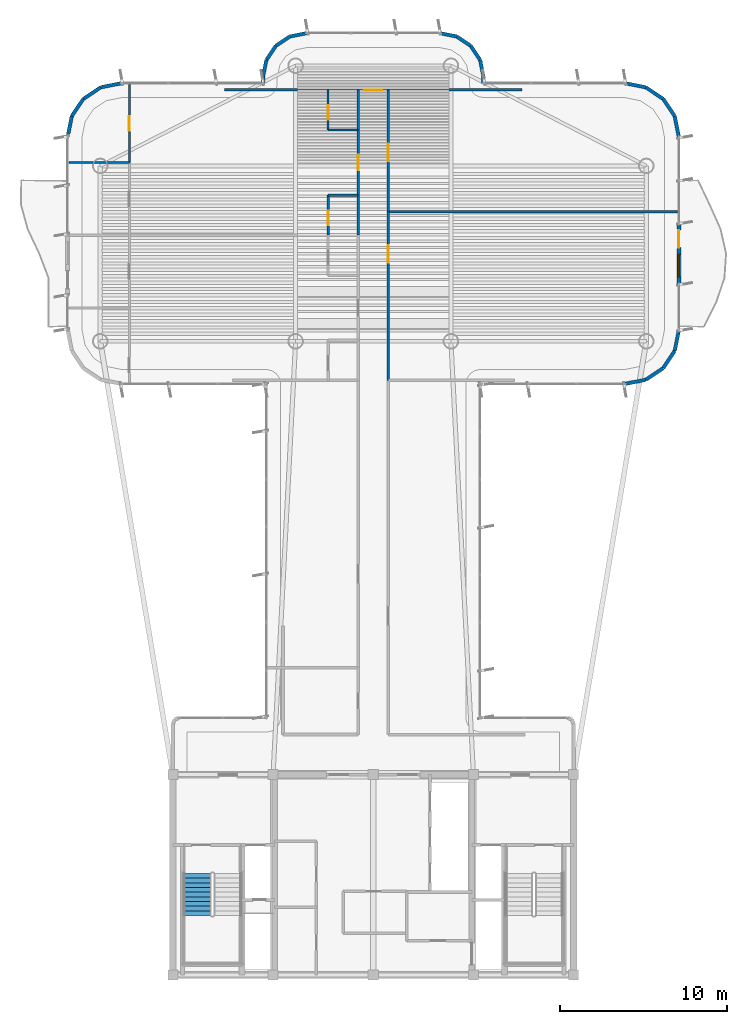
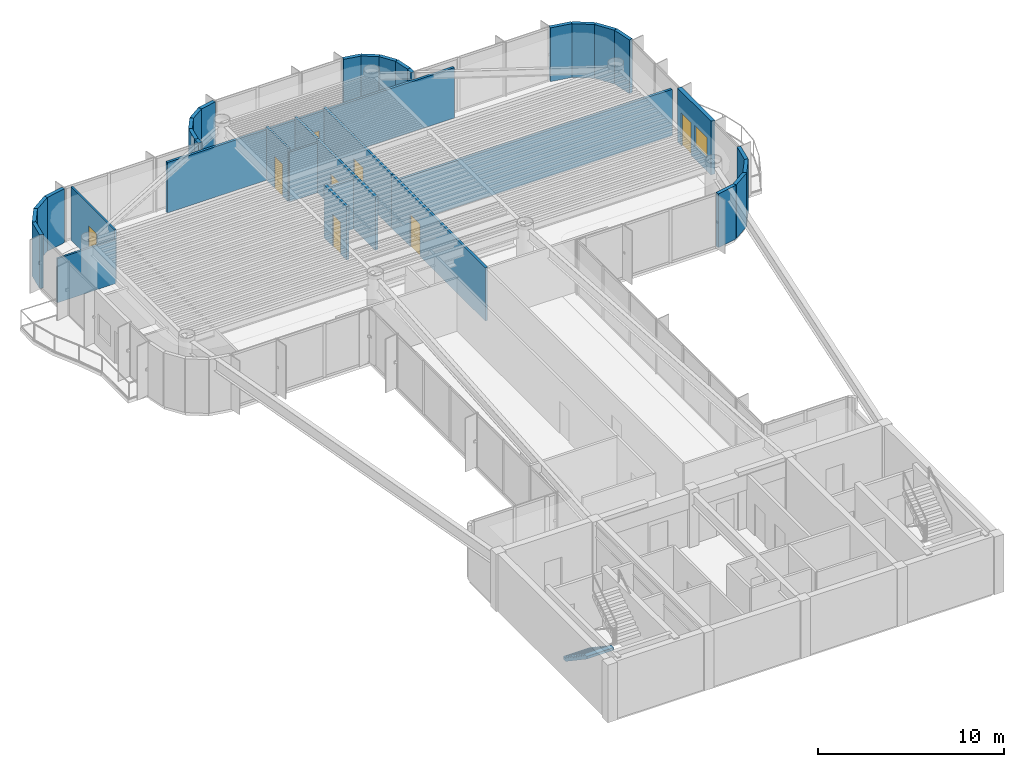
# One storey, part 12 of 15: 36 walls, 8 doors, 1 stair flight, 1 window, 9 openings, 1 element without a shape of its own.
"""IFC4 building model written with IfcOpenShell, lengths in metres."""

from ifc_helpers import new_model, si_unit, direction, frame, frame_2d, origin, origin_2d, place, context, subcontext, project, spatial, polyline, rectangle, outline, extrude, source, transform, mapped, material, layer, layer_set, type_object, element, fill, aggregate, save


model = new_model("IFC4")

# Units and contexts
model_context = context("Model", 3, precision=1e-05, world=origin(), true_north=direction((0.0, 1.0)))
body_context = subcontext(model_context, "Body", "Model", "MODEL_VIEW")
ifc_project = project(units=[si_unit("LENGTHUNIT", "METRE"), si_unit("AREAUNIT", "SQUARE_METRE"), si_unit("VOLUMEUNIT", "CUBIC_METRE"), si_unit("PLANEANGLEUNIT", "RADIAN"), si_unit("MASSUNIT", "GRAM", prefix="KILO")], contexts=[model_context])

# Site, building, storey
site_placement = place(None, origin())
site = spatial("IfcSite", under=ifc_project, at=site_placement, CompositionType="ELEMENT")
building_placement = place(site_placement, origin())
building = spatial("IfcBuilding", under=site, at=building_placement, Name="Brelvock Crest Care Tower", CompositionType="ELEMENT")
storey_placement = place(building_placement, frame((0.0, 0.0, 283.5)))
storey = spatial("IfcBuildingStorey", under=building, at=storey_placement, Name="L72", CompositionType="ELEMENT", Elevation=283.5)

# Wall, openings, door, window
ifc_material_1 = material(Name="Precast concrete N40 (40 MPa)", Category="concrete")
ifc_layer_1 = layer(ifc_material_1, 0.239990234375, Name="WL-EX1")
ifc_layer_set_1 = layer_set([ifc_layer_1], Name="Precast concrete N40 (40 MPa)")
wall_type_1 = type_object("IfcWallType", Name="WL-EX1", PredefinedType="SOLIDWALL", material=ifc_layer_set_1)
wall_1_placement = place(storey_placement, frame((54.300048828125, 51.0, 0.0), z_axis=(0.0, 0.0, 1.0), x_axis=(0.0, -1.0, 0.0)))
wall_1 = element("IfcWall", 1, at=wall_1_placement, inside=storey, type_object=wall_type_1, Name="L72 Exterior Spandrel Wall WL-BAL-L72-E", PredefinedType="SOLIDWALL", context=body_context, shape_type="SweptSolid", body=[
    extrude(rectangle(XDim=3.60009765625, YDim=0.239990234375, at=frame_2d((1.800048828125, 0.0))), origin(), (0.0, 0.0, 1.0), 3.530029296875),
])
opening_1_placement = place(wall_1_placement, frame((0.39990234375, 0.0, 0.0)))
opening_1 = element("IfcOpeningElement", 2, at=opening_1_placement, cuts=wall_1, Name="Opening BD-1", PredefinedType="OPENING", context=body_context, shape_type="SweptSolid", body=[
    extrude(rectangle(XDim=1.050048828125, YDim=2.14990234375, at=origin_2d()), frame((0.52490234375, 0.1298828125, 1.074951171875), z_axis=(0.0, -1.0, 0.0), x_axis=(1.0, 0.0, 0.0)), (0.0, 0.0, 1.0), 0.260009765625),
])
opening_2_placement = place(wall_1_placement, frame((1.85009765625, 0.0, 0.85009765625)))
opening_2 = element("IfcOpeningElement", 3, at=opening_2_placement, cuts=wall_1, Name="Opening W-01", PredefinedType="OPENING", context=body_context, shape_type="SweptSolid", body=[
    extrude(rectangle(XDim=1.35009765625, YDim=1.35009765625, at=origin_2d()), frame((0.675048828125, 0.1298828125, 0.675048828125), z_axis=(0.0, -1.0, 0.0), x_axis=(1.0, 0.0, 0.0)), (0.0, 0.0, 1.0), 0.260009765625),
])
ifc_material_2 = material(Name="Dark Glass Double Glazed Low-E", Category="glass")
door_type_1 = type_object("IfcDoorType", Name="DR-BAL1", OperationType="NOTDEFINED", PredefinedType="DOOR", material=ifc_material_2)
shared_shape_1 = source(origin(), body_context, "Body", "SweptSolid", [
    extrude(rectangle(XDim=1.050048828125, YDim=2.14990234375, at=origin_2d()), frame((0.52490234375, 0.02490234375, 1.074951171875), z_axis=(0.0, -1.0, 0.0), x_axis=(1.0, 0.0, 0.0)), (0.0, 0.0, 1.0), 0.050048828125),
])
door_1_placement = place(opening_1_placement, origin())
door_1 = element("IfcDoor", 4, at=door_1_placement, inside=storey, type_object=door_type_1, Name="L72 E Wave Balcony Glazed Door", OperationType="SINGLE_SWING_RIGHT", OverallHeight=2.14990234375, OverallWidth=1.050048828125, PredefinedType="DOOR", context=body_context, shape_type="MappedRepresentation", body=[
    mapped(shared_shape_1, transform((0.0, 0.0, 0.0), x_axis=(1.0, 0.0, 0.0), y_axis=(0.0, 1.0, 0.0), z_axis=(0.0, 0.0, 1.0), scale=1.0)),
])
fill(opening_1, door_1)
window_type = type_object("IfcWindowType", Name="WN-EX1", PartitioningType="SINGLE_PANEL", PredefinedType="WINDOW", material=ifc_material_2)
shared_shape_2 = source(origin(), body_context, "Body", "SweptSolid", [
    extrude(rectangle(XDim=1.35009765625, YDim=1.35009765625, at=origin_2d()), frame((0.675048828125, 0.030029296875, 0.675048828125), z_axis=(0.0, -1.0, 0.0), x_axis=(1.0, 0.0, 0.0)), (0.0, 0.0, 1.0), 0.06005859375),
])
window_placement = place(opening_2_placement, origin())
window = element("IfcWindow", 5, at=window_placement, inside=storey, type_object=window_type, Name="L72 E Suite Casement Window", OverallHeight=1.35009765625, OverallWidth=1.35009765625, PartitioningType="SINGLE_PANEL", PredefinedType="WINDOW", context=body_context, shape_type="MappedRepresentation", body=[
    mapped(shared_shape_2, transform((0.0, 0.0, 0.0), x_axis=(1.0, 0.0, 0.0), y_axis=(0.0, 1.0, 0.0), z_axis=(0.0, 0.0, 1.0), scale=1.0)),
])
fill(opening_2, window)

# Walls
ifc_layer_2 = layer(ifc_material_1, 0.215087890625, Name="WL-EX2")
ifc_layer_set_2 = layer_set([ifc_layer_2], Name="Precast concrete N40 (40 MPa)")
wall_type_2 = type_object("IfcWallType", Name="WL-EX2", PredefinedType="SOLIDWALL", material=ifc_layer_set_2)
for number, where, z_axis, x_axis, name in (
    (6, (17.699951171875, 56.199951171875, 0.0), (0.0, 0.0, 1.0), (0.195138390419, 0.980775717779, 0.0), "L72 Rounded Corner Wall 18"),
    (7, (17.943603515625, 57.424560546875, 0.0), (0.0, 0.0, 1.0), (0.555557312883, 0.831478245117, 0.0), "L72 Rounded Corner Wall 19"),
    (8, (18.63720703125, 58.462646484375, 0.0), (0.0, 0.0, 1.0), (0.831387912822, 0.555692485475, 0.0), "L72 Rounded Corner Wall 20"),
    (9, (19.67529296875, 59.156494140625, 0.0), (0.0, 0.0, 1.0), (0.980813122964, 0.194950295773, 0.0), "L72 Rounded Corner Wall 21"),
):
    element("IfcWall", number, at=place(storey_placement, frame(where, z_axis=z_axis, x_axis=x_axis)), inside=storey, type_object=wall_type_2, Name=name, PredefinedType="SOLIDWALL", context=body_context, shape_type="SweptSolid", body=[
        extrude(rectangle(XDim=1.24853515625, YDim=0.215087890625, at=frame_2d((0.624267578125, 0.0))), origin(), (0.0, 0.0, 1.0), 3.530029296875),
    ])
wall_2_placement = place(storey_placement, frame((29.39990234375, 59.39990234375, 0.0), z_axis=(0.0, 0.0, 1.0), x_axis=(0.0, 1.0, 0.0)))
element("IfcWall", 10, at=wall_2_placement, inside=storey, type_object=wall_type_2, Name="L72 Rounded Corner Wall 23", PredefinedType="SOLIDWALL", context=body_context, shape_type="SweptSolid", body=[
    extrude(rectangle(XDim=0.400146484375, YDim=0.215087890625, at=frame_2d((0.2001953125, 0.0))), origin(), (0.0, 0.0, 1.0), 3.530029296875),
])
wall_3_placement = place(storey_placement, frame((29.39990234375, 59.800048828125, 0.0), z_axis=(0.0, 0.0, 1.0), x_axis=(0.195190360752, 0.980765376158, 0.0)))
element("IfcWall", 11, at=wall_3_placement, inside=storey, type_object=wall_type_2, Name="L72 Rounded Corner Wall 24", PredefinedType="SOLIDWALL", context=body_context, shape_type="SweptSolid", body=[
    extrude(rectangle(XDim=1.014404296875, YDim=0.215087890625, at=frame_2d((0.50732421875, 0.0))), origin(), (0.0, 0.0, 1.0), 3.530029296875),
])
wall_4_placement = place(storey_placement, frame((29.597900390625, 60.794921875, 0.0), z_axis=(0.0, 0.0, 1.0), x_axis=(0.555643898837, 0.831420385657, 0.0)))
element("IfcWall", 12, at=wall_4_placement, inside=storey, type_object=wall_type_2, Name="L72 Rounded Corner Wall 25", PredefinedType="SOLIDWALL", context=body_context, shape_type="SweptSolid", body=[
    extrude(rectangle(XDim=1.0146484375, YDim=0.215087890625, at=frame_2d((0.50732421875, 0.0))), origin(), (0.0, 0.0, 1.0), 3.530029296875),
])
wall_5_placement = place(storey_placement, frame((30.16162109375, 61.638427734375, 0.0), z_axis=(0.0, 0.0, 1.0), x_axis=(0.831346067305, 0.555755086685, 0.0)))
element("IfcWall", 13, at=wall_5_placement, inside=storey, type_object=wall_type_2, Name="L72 Rounded Corner Wall 26", PredefinedType="SOLIDWALL", context=body_context, shape_type="SweptSolid", body=[
    extrude(rectangle(XDim=1.014404296875, YDim=0.215087890625, at=frame_2d((0.50732421875, 0.0))), origin(), (0.0, 0.0, 1.0), 3.530029296875),
])
for number, where, z_axis, x_axis, name in (
    (14, (31.0048828125, 62.2021484375, 0.0), (0.0, 0.0, 1.0), (0.980820570666, 0.194912821943, 0.0), "L72 Rounded Corner Wall 27"),
    (15, (40.0, 62.39990234375, 0.0), (0.0, 0.0, 1.0), (0.980820570666, -0.194912821943, 0.0), "L72 Rounded Corner Wall 29"),
):
    element("IfcWall", number, at=place(storey_placement, frame(where, z_axis=z_axis, x_axis=x_axis)), inside=storey, type_object=wall_type_2, Name=name, PredefinedType="SOLIDWALL", context=body_context, shape_type="SweptSolid", body=[
        extrude(rectangle(XDim=1.0146484375, YDim=0.215087890625, at=frame_2d((0.50732421875, 0.0))), origin(), (0.0, 0.0, 1.0), 3.530029296875),
    ])
wall_6_placement = place(storey_placement, frame((40.9951171875, 62.2021484375, 0.0), z_axis=(0.0, 0.0, 1.0), x_axis=(0.831346067305, -0.555755086685, 0.0)))
element("IfcWall", 16, at=wall_6_placement, inside=storey, type_object=wall_type_2, Name="L72 Rounded Corner Wall 30", PredefinedType="SOLIDWALL", context=body_context, shape_type="SweptSolid", body=[
    extrude(rectangle(XDim=1.014404296875, YDim=0.215087890625, at=frame_2d((0.50732421875, 0.0))), origin(), (0.0, 0.0, 1.0), 3.530029296875),
])
wall_7_placement = place(storey_placement, frame((41.83837890625, 61.638427734375, 0.0), z_axis=(0.0, 0.0, 1.0), x_axis=(0.555643898837, -0.831420385657, 0.0)))
element("IfcWall", 17, at=wall_7_placement, inside=storey, type_object=wall_type_2, Name="L72 Rounded Corner Wall 31", PredefinedType="SOLIDWALL", context=body_context, shape_type="SweptSolid", body=[
    extrude(rectangle(XDim=1.0146484375, YDim=0.215087890625, at=frame_2d((0.50732421875, 0.0))), origin(), (0.0, 0.0, 1.0), 3.530029296875),
])
wall_8_placement = place(storey_placement, frame((42.402099609375, 60.794921875, 0.0), z_axis=(0.0, 0.0, 1.0), x_axis=(0.195190360752, -0.980765376158, 0.0)))
element("IfcWall", 18, at=wall_8_placement, inside=storey, type_object=wall_type_2, Name="L72 Rounded Corner Wall 32", PredefinedType="SOLIDWALL", context=body_context, shape_type="SweptSolid", body=[
    extrude(rectangle(XDim=1.014404296875, YDim=0.215087890625, at=frame_2d((0.50732421875, 0.0))), origin(), (0.0, 0.0, 1.0), 3.530029296875),
])
wall_9_placement = place(storey_placement, frame((42.60009765625, 59.800048828125, 0.0), z_axis=(0.0, 0.0, 1.0), x_axis=(0.0, -1.0, 0.0)))
element("IfcWall", 19, at=wall_9_placement, inside=storey, type_object=wall_type_2, Name="L72 Rounded Corner Wall 33", PredefinedType="SOLIDWALL", context=body_context, shape_type="SweptSolid", body=[
    extrude(rectangle(XDim=0.400146484375, YDim=0.215087890625, at=frame_2d((0.2001953125, 0.0))), origin(), (0.0, 0.0, 1.0), 3.530029296875),
])
for number, where, z_axis, x_axis, name in (
    (20, (51.10009765625, 59.39990234375, 0.0), (0.0, 0.0, 1.0), (0.980813122964, -0.194950295773, 0.0), "L72 Rounded Corner Wall 35"),
    (21, (52.32470703125, 59.156494140625, 0.0), (0.0, 0.0, 1.0), (0.831387912822, -0.555692485475, 0.0), "L72 Rounded Corner Wall 36"),
    (22, (53.36279296875, 58.462646484375, 0.0), (0.0, 0.0, 1.0), (0.555557312883, -0.831478245117, 0.0), "L72 Rounded Corner Wall 37"),
    (23, (54.056396484375, 57.424560546875, 0.0), (0.0, 0.0, 1.0), (0.195138390419, -0.980775717779, 0.0), "L72 Rounded Corner Wall 38"),
    (24, (54.300048828125, 44.60009765625, 0.0), (0.0, 0.0, 1.0), (-0.195138390419, -0.980775717779, 0.0), "L72 Rounded Corner Wall 40"),
    (25, (54.056396484375, 43.37548828125, 0.0), (0.0, 0.0, 1.0), (-0.555557312883, -0.831478245117, 0.0), "L72 Rounded Corner Wall 41"),
    (26, (53.36279296875, 42.33740234375, 0.0), (0.0, 0.0, 1.0), (-0.831387912822, -0.555692485475, 0.0), "L72 Rounded Corner Wall 42"),
    (27, (52.32470703125, 41.6435546875, 0.0), (0.0, 0.0, 1.0), (-0.980775717779, -0.195138390419, 0.0), "L72 Rounded Corner Wall 43"),
):
    element("IfcWall", number, at=place(storey_placement, frame(where, z_axis=z_axis, x_axis=x_axis)), inside=storey, type_object=wall_type_2, Name=name, PredefinedType="SOLIDWALL", context=body_context, shape_type="SweptSolid", body=[
        extrude(rectangle(XDim=1.24853515625, YDim=0.215087890625, at=frame_2d((0.624267578125, 0.0))), origin(), (0.0, 0.0, 1.0), 3.530029296875),
    ])
ifc_material_3 = material(Name="Masonry Blockwork Acoustic Partition", Category="masonry")
ifc_layer_3 = layer(ifc_material_3, 0.14990234375, Name="WL-INT1")
ifc_layer_set_3 = layer_set([ifc_layer_3], Name="Masonry Blockwork Acoustic Partition")
wall_type_3 = type_object("IfcWallType", Name="WL-INT1", PredefinedType="PARTITIONING", material=ifc_layer_set_3)
wall_10_placement = place(storey_placement, frame((36.89990234375, 51.699951171875, 0.0), z_axis=(0.0, 0.0, 1.0), x_axis=(1.0, 0.0, 0.0)))
element("IfcWall", 28, at=wall_10_placement, inside=storey, type_object=wall_type_3, Name="L72 Interior Wall WL-BX-L72-EPCL-N", PredefinedType="PARTITIONING", context=body_context, shape_type="SweptSolid", body=[
    extrude(rectangle(XDim=17.320068359375, YDim=0.14990234375, at=frame_2d((8.66015625, 0.0))), origin(), (0.0, 0.0, 1.0), 3.054931640625),
])

# Wall, opening, door
wall_11_placement = place(storey_placement, frame((27.10009765625, 59.0, 0.0), z_axis=(0.0, 0.0, 1.0), x_axis=(1.0, 0.0, 0.0)))
wall_11 = element("IfcWall", 29, at=wall_11_placement, inside=storey, type_object=wall_type_3, Name="L72 Interior Wall WL-RM-L72-PHNH", PredefinedType="PARTITIONING", context=body_context, shape_type="SweptSolid", body=[
    extrude(rectangle(XDim=17.7998046875, YDim=0.14990234375, at=frame_2d((8.89990234375, 0.0))), origin(), (0.0, 0.0, 1.0), 3.30810546875),
])
opening_3_placement = place(wall_11_placement, frame((8.375, 0.0, 0.0)))
opening_3 = element("IfcOpeningElement", 30, at=opening_3_placement, cuts=wall_11, Name="Opening CLD-1", PredefinedType="OPENING", context=body_context, shape_type="SweptSolid", body=[
    extrude(rectangle(XDim=1.050048828125, YDim=2.10009765625, at=origin_2d()), frame((0.52490234375, 0.0849609375, 1.050048828125), z_axis=(0.0, -1.0, 0.0), x_axis=(1.0, 0.0, 0.0)), (0.0, 0.0, 1.0), 0.169921875),
])
ifc_material_4 = material(Name="Engineered Hardwood Timber", Category="wood")
door_type_2 = type_object("IfcDoorType", Name="DR-CLN1", OperationType="NOTDEFINED", PredefinedType="DOOR", material=ifc_material_4)
shared_shape_3 = source(origin(), body_context, "Body", "SweptSolid", [
    extrude(rectangle(XDim=1.050048828125, YDim=2.10009765625, at=origin_2d()), frame((0.52490234375, 0.02490234375, 1.050048828125), z_axis=(0.0, -1.0, 0.0), x_axis=(1.0, 0.0, 0.0)), (0.0, 0.0, 1.0), 0.050048828125),
])
door_2_placement = place(opening_3_placement, origin())
door_2 = element("IfcDoor", 31, at=door_2_placement, inside=storey, type_object=door_type_2, Name="L72 Crest Sky Harbour Observatory Salon Door PHNH", OperationType="SINGLE_SWING_LEFT", OverallHeight=2.10009765625, OverallWidth=1.050048828125, PredefinedType="DOOR", context=body_context, shape_type="MappedRepresentation", body=[
    mapped(shared_shape_3, transform((0.0, 0.0, 0.0), x_axis=(1.0, 0.0, 0.0), y_axis=(0.0, 1.0, 0.0), z_axis=(0.0, 0.0, 1.0), scale=1.0)),
])
fill(opening_3, door_2)

wall_12_placement = place(storey_placement, frame((35.10009765625, 52.699951171875, 0.0), z_axis=(0.0, 0.0, 1.0), x_axis=(0.0, 1.0, 0.0)))
wall_12 = element("IfcWall", 32, at=wall_12_placement, inside=storey, type_object=wall_type_3, Name="L72 Interior Wall WL-UENT-L72-WPF2", PredefinedType="PARTITIONING", context=body_context, shape_type="SweptSolid", body=[
    extrude(rectangle(XDim=3.900146484375, YDim=0.14990234375, at=frame_2d((1.9501953125, 0.0))), origin(), (0.0, 0.0, 1.0), 3.5),
])
opening_4_placement = place(wall_12_placement, frame((1.489990234375, 0.0, 0.0)))
opening_4 = element("IfcOpeningElement", 33, at=opening_4_placement, cuts=wall_12, Name="Opening AD-1", PredefinedType="OPENING", context=body_context, shape_type="SweptSolid", body=[
    extrude(rectangle(XDim=0.919921875, YDim=2.10009765625, at=origin_2d()), frame((0.4599609375, 0.0849609375, 1.050048828125), z_axis=(0.0, -1.0, 0.0), x_axis=(1.0, 0.0, 0.0)), (0.0, 0.0, 1.0), 0.169921875),
])
door_type_3 = type_object("IfcDoorType", Name="DR-APT1", OperationType="NOTDEFINED", PredefinedType="DOOR", material=ifc_material_4)
shared_shape_4 = source(origin(), body_context, "Body", "SweptSolid", [
    extrude(rectangle(XDim=0.919921875, YDim=2.10009765625, at=origin_2d()), frame((0.4599609375, 0.02490234375, 1.050048828125), z_axis=(0.0, -1.0, 0.0), x_axis=(1.0, 0.0, 0.0)), (0.0, 0.0, 1.0), 0.050048828125),
])
door_3_placement = place(opening_4_placement, origin())
door_3 = element("IfcDoor", 34, at=door_3_placement, inside=storey, type_object=door_type_3, Name="L72 Apartment Entrance WPF2", OperationType="SINGLE_SWING_LEFT", OverallHeight=2.10009765625, OverallWidth=0.919921875, PredefinedType="DOOR", context=body_context, shape_type="MappedRepresentation", body=[
    mapped(shared_shape_4, transform((0.0, 0.0, 0.0), x_axis=(1.0, 0.0, 0.0), y_axis=(0.0, 1.0, 0.0), z_axis=(0.0, 0.0, 1.0), scale=1.0)),
])
fill(opening_4, door_3)

# Wall
wall_13_placement = place(storey_placement, frame((35.10009765625, 56.60009765625, 0.0), z_axis=(0.0, 0.0, 1.0), x_axis=(0.0, 1.0, 0.0)))
element("IfcWall", 35, at=wall_13_placement, inside=storey, type_object=wall_type_3, Name="L72 Interior Wall WL-UCK-L72-WPF2", PredefinedType="PARTITIONING", context=body_context, shape_type="SweptSolid", body=[
    extrude(rectangle(XDim=2.39990234375, YDim=0.14990234375, at=frame_2d((1.199951171875, 0.0))), origin(), (0.0, 0.0, 1.0), 3.5),
])

# Wall, opening, door
wall_14_placement = place(storey_placement, frame((36.89990234375, 41.60009765625, 0.0), z_axis=(0.0, 0.0, 1.0), x_axis=(0.0, 1.0, 0.0)))
wall_14 = element("IfcWall", 36, at=wall_14_placement, inside=storey, type_object=wall_type_3, Name="L72 Interior Wall WL-RM-L72-EPCL", PredefinedType="PARTITIONING", context=body_context, shape_type="SweptSolid", body=[
    extrude(rectangle(XDim=10.099853515625, YDim=0.14990234375, at=frame_2d((5.0498046875, 0.0))), origin(), (0.0, 0.0, 1.0), 3.5),
])
opening_5_placement = place(wall_14_placement, frame((7.044921875, 0.0, 0.0)))
opening_5 = element("IfcOpeningElement", 37, at=opening_5_placement, cuts=wall_14, Name="Opening CLD-1", PredefinedType="OPENING", context=body_context, shape_type="SweptSolid", body=[
    extrude(rectangle(XDim=1.050048828125, YDim=2.10009765625, at=origin_2d()), frame((0.52490234375, 0.0849609375, 1.050048828125), z_axis=(0.0, -1.0, 0.0), x_axis=(1.0, 0.0, 0.0)), (0.0, 0.0, 1.0), 0.169921875),
])
door_4_placement = place(opening_5_placement, origin())
door_4 = element("IfcDoor", 38, at=door_4_placement, inside=storey, type_object=door_type_2, Name="L72 Crest Longevity Assessment Clinic Door EPCL", OperationType="SINGLE_SWING_LEFT", OverallHeight=2.10009765625, OverallWidth=1.050048828125, PredefinedType="DOOR", context=body_context, shape_type="MappedRepresentation", body=[
    mapped(shared_shape_3, transform((0.0, 0.0, 0.0), x_axis=(1.0, 0.0, 0.0), y_axis=(0.0, 1.0, 0.0), z_axis=(0.0, 0.0, 1.0), scale=1.0)),
])
fill(opening_5, door_4)

wall_15_placement = place(storey_placement, frame((36.89990234375, 51.699951171875, 0.0), z_axis=(0.0, 0.0, 1.0), x_axis=(0.0, 1.0, 0.0)))
wall_15 = element("IfcWall", 39, at=wall_15_placement, inside=storey, type_object=wall_type_3, Name="L72 Interior Wall WL-RM-L72-EPSL", PredefinedType="PARTITIONING", context=body_context, shape_type="SweptSolid", body=[
    extrude(rectangle(XDim=7.300048828125, YDim=0.14990234375, at=frame_2d((3.64990234375, 0.0))), origin(), (0.0, 0.0, 1.0), 3.5),
])
opening_6_placement = place(wall_15_placement, frame((3.02490234375, 0.0, 0.0)))
opening_6 = element("IfcOpeningElement", 40, at=opening_6_placement, cuts=wall_15, Name="Opening CLD-1", PredefinedType="OPENING", context=body_context, shape_type="SweptSolid", body=[
    extrude(rectangle(XDim=1.050048828125, YDim=2.10009765625, at=origin_2d()), frame((0.52490234375, 0.0849609375, 1.050048828125), z_axis=(0.0, -1.0, 0.0), x_axis=(1.0, 0.0, 0.0)), (0.0, 0.0, 1.0), 0.169921875),
])
door_5_placement = place(opening_6_placement, origin())
door_5 = element("IfcDoor", 41, at=door_5_placement, inside=storey, type_object=door_type_2, Name="L72 Crest Executive Wellness Salon Door EPSL", OperationType="SINGLE_SWING_LEFT", OverallHeight=2.10009765625, OverallWidth=1.050048828125, PredefinedType="DOOR", context=body_context, shape_type="MappedRepresentation", body=[
    mapped(shared_shape_3, transform((0.0, 0.0, 0.0), x_axis=(1.0, 0.0, 0.0), y_axis=(0.0, 1.0, 0.0), z_axis=(0.0, 0.0, 1.0), scale=1.0)),
])
fill(opening_6, door_5)

# Walls
ifc_material_5 = material(Name="Gypsum Plasterboard Partition", Category="gypsum")
ifc_layer_4 = layer(ifc_material_5, 0.1201171875, Name="WL-INT2")
ifc_layer_set_4 = layer_set([ifc_layer_4], Name="Gypsum Plasterboard Partition")
wall_type_4 = type_object("IfcWallType", Name="WL-INT2", PredefinedType="PARTITIONING", material=ifc_layer_set_4)
wall_16_placement = place(storey_placement, frame((17.780029296875, 54.64990234375, 0.0), z_axis=(0.0, 0.0, 1.0), x_axis=(1.0, 0.0, 0.0)))
element("IfcWall", 42, at=wall_16_placement, inside=storey, type_object=wall_type_4, Name="L72 Interior Wall WL-UBSP-L72-WPF2", PredefinedType="PARTITIONING", context=body_context, shape_type="SweptSolid", body=[
    extrude(rectangle(XDim=3.60986328125, YDim=0.1201171875, at=frame_2d((1.804931640625, 0.0))), origin(), (0.0, 0.0, 1.0), 2.903076171875),
])
wall_17_placement = place(storey_placement, frame((33.300048828125, 56.60009765625, 0.0), z_axis=(0.0, 0.0, 1.0), x_axis=(1.0, 0.0, 0.0)))
element("IfcWall", 43, at=wall_17_placement, inside=storey, type_object=wall_type_4, Name="L72 Interior Wall WL-UKIT2-L72-WPF2", PredefinedType="PARTITIONING", context=body_context, shape_type="SweptSolid", body=[
    extrude(rectangle(XDim=1.800048828125, YDim=0.1201171875, at=frame_2d((0.89990234375, 0.0))), origin(), (0.0, 0.0, 1.0), 3.259033203125),
])

# Wall, opening, door
wall_18_placement = place(storey_placement, frame((21.389892578125, 54.64990234375, 0.0), z_axis=(0.0, 0.0, 1.0), x_axis=(0.0, 1.0, 0.0)))
wall_18 = element("IfcWall", 44, at=wall_18_placement, inside=storey, type_object=wall_type_4, Name="L72 Interior Wall WL-UBD2-L72-WPF2", PredefinedType="PARTITIONING", context=body_context, shape_type="SweptSolid", body=[
    extrude(rectangle(XDim=4.67041015625, YDim=0.1201171875, at=frame_2d((2.335205078125, 0.0))), origin(), (0.0, 0.0, 1.0), 3.5),
])
opening_7_placement = place(wall_18_placement, frame((1.905029296875, 0.0, 0.0)))
opening_7 = element("IfcOpeningElement", 45, at=opening_7_placement, cuts=wall_18, Name="Opening ID-1", PredefinedType="OPENING", context=body_context, shape_type="SweptSolid", body=[
    extrude(rectangle(XDim=0.860107421875, YDim=2.10009765625, at=origin_2d()), frame((0.43017578125, 0.070068359375, 1.050048828125), z_axis=(0.0, -1.0, 0.0), x_axis=(1.0, 0.0, 0.0)), (0.0, 0.0, 1.0), 0.14013671875),
])
door_type_4 = type_object("IfcDoorType", Name="DR-INT1", OperationType="NOTDEFINED", PredefinedType="DOOR", material=ifc_material_4)
shared_shape_5 = source(origin(), body_context, "Body", "SweptSolid", [
    extrude(rectangle(XDim=0.860107421875, YDim=2.10009765625, at=origin_2d()), frame((0.43017578125, 0.02490234375, 1.050048828125), z_axis=(0.0, -1.0, 0.0), x_axis=(1.0, 0.0, 0.0)), (0.0, 0.0, 1.0), 0.050048828125),
])
door_6_placement = place(opening_7_placement, origin())
door_6 = element("IfcDoor", 46, at=door_6_placement, inside=storey, type_object=door_type_4, Name="L72 Second Room Door WPF2", OperationType="SINGLE_SWING_LEFT", OverallHeight=2.10009765625, OverallWidth=0.860107421875, PredefinedType="DOOR", context=body_context, shape_type="MappedRepresentation", body=[
    mapped(shared_shape_5, transform((0.0, 0.0, 0.0), x_axis=(1.0, 0.0, 0.0), y_axis=(0.0, 1.0, 0.0), z_axis=(0.0, 0.0, 1.0), scale=1.0)),
])
fill(opening_7, door_6)

wall_19_placement = place(storey_placement, frame((33.300048828125, 56.60009765625, 0.0), z_axis=(0.0, 0.0, 1.0), x_axis=(0.0, 1.0, 0.0)))
wall_19 = element("IfcWall", 47, at=wall_19_placement, inside=storey, type_object=wall_type_4, Name="L72 Interior Wall WL-UKIT1-L72-WPF2", PredefinedType="PARTITIONING", context=body_context, shape_type="SweptSolid", body=[
    extrude(rectangle(XDim=2.39990234375, YDim=0.1201171875, at=frame_2d((1.199951171875, 0.0))), origin(), (0.0, 0.0, 1.0), 3.5),
])
opening_8_placement = place(wall_19_placement, frame((0.6201171875, 0.0, 0.0)))
opening_8 = element("IfcOpeningElement", 48, at=opening_8_placement, cuts=wall_19, Name="Opening ID-1", PredefinedType="OPENING", context=body_context, shape_type="SweptSolid", body=[
    extrude(rectangle(XDim=0.860107421875, YDim=2.10009765625, at=origin_2d()), frame((0.43017578125, 0.070068359375, 1.050048828125), z_axis=(0.0, -1.0, 0.0), x_axis=(1.0, 0.0, 0.0)), (0.0, 0.0, 1.0), 0.14013671875),
])
door_7_placement = place(opening_8_placement, origin())
door_7 = element("IfcDoor", 49, at=door_7_placement, inside=storey, type_object=door_type_4, Name="L72 Kitchen Door WPF2", OperationType="SINGLE_SWING_LEFT", OverallHeight=2.10009765625, OverallWidth=0.860107421875, PredefinedType="DOOR", context=body_context, shape_type="MappedRepresentation", body=[
    mapped(shared_shape_5, transform((0.0, 0.0, 0.0), x_axis=(1.0, 0.0, 0.0), y_axis=(0.0, 1.0, 0.0), z_axis=(0.0, 0.0, 1.0), scale=1.0)),
])
fill(opening_8, door_7)

# Wall
ifc_layer_5 = layer(ifc_material_5, 0.159912109375, Name="WL-PLM1")
ifc_layer_set_5 = layer_set([ifc_layer_5], Name="Gypsum Plasterboard Partition")
wall_type_5 = type_object("IfcWallType", Name="WL-PLM1", PredefinedType="PLUMBINGWALL", material=ifc_layer_set_5)
wall_20_placement = place(storey_placement, frame((33.300048828125, 52.699951171875, 0.0), z_axis=(0.0, 0.0, 1.0), x_axis=(1.0, 0.0, 0.0)))
element("IfcWall", 50, at=wall_20_placement, inside=storey, type_object=wall_type_5, Name="L72 Interior Wall WL-UBTH2-L72-WPF2", PredefinedType="PLUMBINGWALL", context=body_context, shape_type="SweptSolid", body=[
    extrude(rectangle(XDim=1.800048828125, YDim=0.159912109375, at=frame_2d((0.89990234375, 0.0))), origin(), (0.0, 0.0, 1.0), 3.259033203125),
])

# Wall, opening, door
wall_21_placement = place(storey_placement, frame((33.300048828125, 50.300048828125, 0.0), z_axis=(0.0, 0.0, 1.0), x_axis=(0.0, 1.0, 0.0)))
wall_21 = element("IfcWall", 51, at=wall_21_placement, inside=storey, type_object=wall_type_5, Name="L72 Interior Wall WL-UBTH1-L72-WPF2", PredefinedType="PLUMBINGWALL", context=body_context, shape_type="SweptSolid", body=[
    extrude(rectangle(XDim=2.39990234375, YDim=0.159912109375, at=frame_2d((1.199951171875, 0.0))), origin(), (0.0, 0.0, 1.0), 3.5),
])
opening_9_placement = place(wall_21_placement, frame((0.60009765625, 0.0, 0.0)))
opening_9 = element("IfcOpeningElement", 52, at=opening_9_placement, cuts=wall_21, Name="Opening WD-1", PredefinedType="OPENING", context=body_context, shape_type="SweptSolid", body=[
    extrude(rectangle(XDim=0.860107421875, YDim=2.10009765625, at=origin_2d()), frame((0.43017578125, 0.08984375, 1.050048828125), z_axis=(0.0, -1.0, 0.0), x_axis=(1.0, 0.0, 0.0)), (0.0, 0.0, 1.0), 0.179931640625),
])
door_type_5 = type_object("IfcDoorType", Name="DR-WC1", OperationType="NOTDEFINED", PredefinedType="DOOR", material=ifc_material_4)
shared_shape_6 = source(origin(), body_context, "Body", "SweptSolid", [
    extrude(rectangle(XDim=0.860107421875, YDim=2.10009765625, at=origin_2d()), frame((0.43017578125, 0.02490234375, 1.050048828125), z_axis=(0.0, -1.0, 0.0), x_axis=(1.0, 0.0, 0.0)), (0.0, 0.0, 1.0), 0.050048828125),
])
door_8_placement = place(opening_9_placement, origin())
door_8 = element("IfcDoor", 53, at=door_8_placement, inside=storey, type_object=door_type_5, Name="L72 Bathroom Door WPF2", OperationType="SINGLE_SWING_LEFT", OverallHeight=2.10009765625, OverallWidth=0.860107421875, PredefinedType="DOOR", context=body_context, shape_type="MappedRepresentation", body=[
    mapped(shared_shape_6, transform((0.0, 0.0, 0.0), x_axis=(1.0, 0.0, 0.0), y_axis=(0.0, 1.0, 0.0), z_axis=(0.0, 0.0, 1.0), scale=1.0)),
])
fill(opening_9, door_8)

# Wall
wall_22_placement = place(storey_placement, frame((35.10009765625, 50.300048828125, 0.0), z_axis=(0.0, 0.0, 1.0), x_axis=(0.0, 1.0, 0.0)))
element("IfcWall", 54, at=wall_22_placement, inside=storey, type_object=wall_type_5, Name="L72 Interior Wall WL-UCB-L72-WPF2", PredefinedType="PLUMBINGWALL", context=body_context, shape_type="SweptSolid", body=[
    extrude(rectangle(XDim=2.39990234375, YDim=0.159912109375, at=frame_2d((1.199951171875, 0.0))), origin(), (0.0, 0.0, 1.0), 3.5),
])

# Stair, stair flight
ifc_material_6 = material(Name="Concrete N40 (40 MPa)", Category="concrete")
stair_type = type_object("IfcStairType", Name="ST-CORE1", PredefinedType="HALF_TURN_STAIR", material=ifc_material_6)
stair_placement = place(storey_placement, origin())
stair = element("IfcStair", 55, at=stair_placement, inside=storey, type_object=stair_type, Name="L72 Fire-Isolated Core Stair ST-1", PredefinedType="HALF_TURN_STAIR")
stair_flight_type = type_object("IfcStairFlightType", Name="STF-1", PredefinedType="STRAIGHT", material=ifc_material_6)
stair_flight_placement = place(storey_placement, frame((25.469970703125, 12.080078125, 0.0), z_axis=(0.0, 0.0, 1.0), x_axis=(0.0, -1.0, 0.0)))
stair_flight = element("IfcStairFlight", 56, at=stair_flight_placement, type_object=stair_flight_type, Name="ST-1 flight 1", NumberOfRisers=10, NumberOfTreads=9, PredefinedType="STRAIGHT", RiserHeight=0.189, TreadLength=0.28, context=body_context, shape_type="SweptSolid", body=[
    extrude(outline(polyline([(-0.00390625, -0.014892578125), (-0.00390625, -0.0078125), (-0.00390625, -0.00048828125), (-0.00390625, 0.0068359375), (-0.00390625, 0.01416015625), (-0.00390625, 0.021484375), (-0.00390625, 0.02880859375), (-0.00390625, 0.035888671875), (-0.00390625, 0.043212890625), (-0.00390625, 0.050537109375), (-0.00390625, 0.057861328125), (-0.00390625, 0.065185546875), (-0.00390625, 0.072509765625), (-0.00390625, 0.07958984375), (-0.00390625, 0.0869140625), (-0.00390625, 0.09423828125), (-0.00390625, 0.1015625), (-0.00390625, 0.10888671875), (-0.00390625, 0.1162109375), (-0.00390625, 0.12353515625), (-0.00390625, 0.130615234375), (-0.00390625, 0.137939453125), (-0.00390625, 0.145263671875), (-0.00390625, 0.152587890625), (-0.00390625, 0.159912109375), (-0.00390625, 0.167236328125), (-0.00390625, 0.17431640625), (-0.00390625, 0.181640625), (-0.00390625, 0.18896484375), (0.0, 0.18896484375), (0.280029296875, 0.18896484375), (0.280029296875, 0.3779296875), (0.56005859375, 0.3779296875), (0.56005859375, 0.56689453125), (0.840087890625, 0.56689453125), (0.840087890625, 0.756103515625), (1.1201171875, 0.756103515625), (1.1201171875, 0.945068359375), (1.39990234375, 0.945068359375), (1.39990234375, 1.134033203125), (1.679931640625, 1.134033203125), (1.679931640625, 1.322998046875), (1.9599609375, 1.322998046875), (1.9599609375, 1.511962890625), (2.239990234375, 1.511962890625), (2.239990234375, 1.700927734375), (2.52001953125, 1.700927734375), (2.52392578125, 1.700927734375), (2.523681640625, 1.70068359375), (2.52392578125, 1.700439453125), (2.523681640625, 1.699951171875), (2.52392578125, 1.69970703125), (2.523681640625, 1.699462890625), (2.52392578125, 1.698974609375), (2.523681640625, 1.69873046875), (2.52392578125, 1.698486328125), (2.523681640625, 1.697998046875), (2.52392578125, 1.69775390625), (2.523681640625, 1.697509765625), (2.52392578125, 1.697021484375), (2.523681640625, 1.69677734375), (2.52392578125, 1.696533203125), (2.523681640625, 1.6962890625), (2.52392578125, 1.69580078125), (2.523681640625, 1.695556640625), (2.52392578125, 1.6953125), (2.523681640625, 1.69482421875), (2.52392578125, 1.694580078125), (2.523681640625, 1.6943359375), (2.52392578125, 1.69384765625), (2.523681640625, 1.693603515625), (2.52392578125, 1.693359375), (2.523681640625, 1.69287109375), (2.52392578125, 1.692626953125), (2.523681640625, 1.6923828125), (2.52392578125, 1.69189453125), (2.52001953125, 1.520263671875), (0.267822265625, 0.0), (0.0, 0.0), (0.0, -0.014892578125), (-0.00390625, -0.014892578125)])), frame((0.0, 0.83984375, 0.0), z_axis=(0.0, -1.0, 0.0), x_axis=(1.0, 0.0, 0.0)), (0.0, 0.0, 1.0), 1.679931640625),
])
aggregate(stair, [stair_flight])

save(model, "model.ifc")
